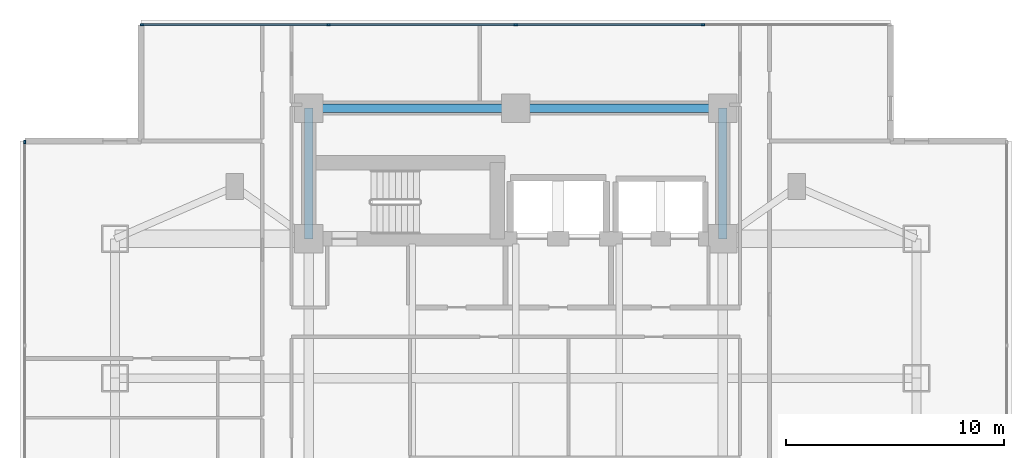
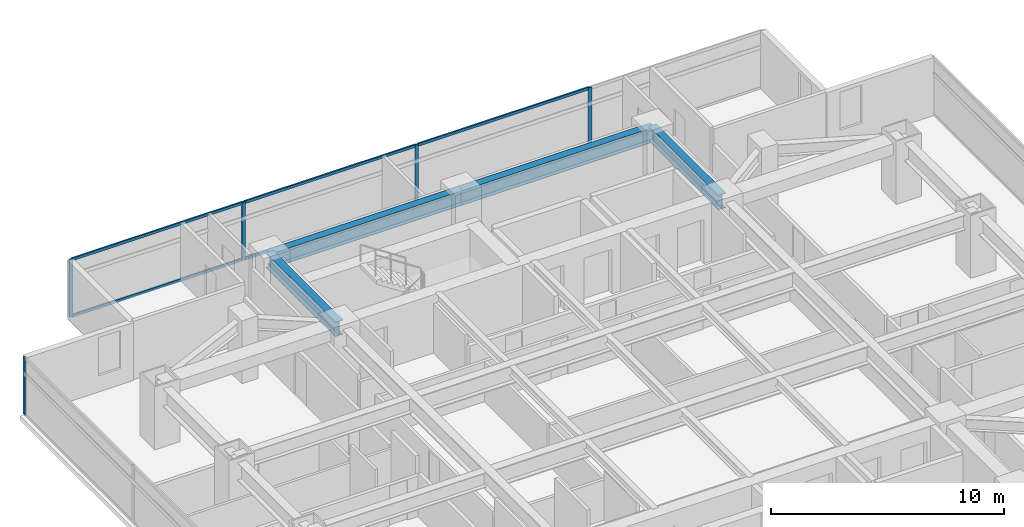
# One storey, part 7 of 27: 11 members, 4 beams, 2 elements without a shape of their own.
"""IFC4 building model written with IfcOpenShell, lengths in metres."""

from ifc_helpers import new_model, si_unit, direction, frame, origin, origin_2d, place, context, subcontext, project, spatial, rectangle, i_section, extrude, material, material_profile, profile_set, type_object, element, aggregate, save


model = new_model("IFC4")

# Units and contexts
model_context = context("Model", 3, precision=1e-05, world=origin(), true_north=direction((0.0, 1.0)))
body_context = subcontext(model_context, "Body", "Model", "MODEL_VIEW")
ifc_project = project(units=[si_unit("LENGTHUNIT", "METRE"), si_unit("AREAUNIT", "SQUARE_METRE"), si_unit("VOLUMEUNIT", "CUBIC_METRE"), si_unit("PLANEANGLEUNIT", "RADIAN"), si_unit("MASSUNIT", "GRAM", prefix="KILO")], contexts=[model_context])

# Site, building, storey
site_placement = place(None, origin())
site = spatial("IfcSite", under=ifc_project, at=site_placement, CompositionType="ELEMENT")
building_placement = place(site_placement, origin())
building = spatial("IfcBuilding", under=site, at=building_placement, Name="Mirazonda Arch Towers", CompositionType="ELEMENT")
storey_placement = place(building_placement, frame((0.0, 0.0, 75.199951171875)))
storey = spatial("IfcBuildingStorey", under=building, at=storey_placement, Name="L21", CompositionType="ELEMENT", Elevation=75.199951171875)

# Beams
ifc_material_1 = material(Name="Steel ASTM A992 Grade 50", Category="steel")
ifc_material_profile_1 = material_profile(ifc_material_1, i_section(OverallWidth=0.381103515625, OverallDepth=0.77294921875, WebThickness=0.0166015625, FlangeThickness=0.027099609375, at=origin_2d()), Name="W30X173")
ifc_profile_set_1 = profile_set([ifc_material_profile_1], Name="Steel ASTM A992 Grade 50")
beam_type = type_object("IfcBeamType", Name="BM-INT-W30X173", PredefinedType="USERDEFINED", material=ifc_profile_set_1)
for number, where, z_axis, x_axis, name in (
    (1, (11.0, 43.60009765625, 2.673583984375), (1.0, 0.0, 0.0), (0.0, 1.0, 0.0), "L21 Floor Beam BM-T1-L21-CN1"),
    (2, (20.5, 43.60009765625, 2.673583984375), (1.0, 0.0, 0.0), (0.0, 1.0, 0.0), "L21 Floor Beam BM-T1-L21-CN2"),
):
    element("IfcBeam", number, at=place(storey_placement, frame(where, z_axis=z_axis, x_axis=x_axis)), inside=storey, type_object=beam_type, Name=name, ObjectType="GIRDER", PredefinedType="USERDEFINED", context=body_context, shape_type="SweptSolid", body=[
        extrude(i_section(OverallWidth=0.381103515625, OverallDepth=0.77294921875, WebThickness=0.0166015625, FlangeThickness=0.027099609375, at=origin_2d()), origin(), (0.0, 0.0, 1.0), 9.5),
    ])
for number, where, z_axis, x_axis, name in (
    (3, (11.0, 37.60009765625, 2.673583984375), (0.0, 1.0, 0.0), (-1.0, 0.0, 0.0), "L21 Floor Beam BM-T1-L21-CNW"),
    (4, (30.0, 37.60009765625, 2.673583984375), (0.0, 1.0, 0.0), (-1.0, 0.0, 0.0), "L21 Floor Beam BM-T1-L21-CNE"),
):
    element("IfcBeam", number, at=place(storey_placement, frame(where, z_axis=z_axis, x_axis=x_axis)), inside=storey, type_object=beam_type, Name=name, ObjectType="GIRDER", PredefinedType="USERDEFINED", context=body_context, shape_type="SweptSolid", body=[
        extrude(i_section(OverallWidth=0.381103515625, OverallDepth=0.77294921875, WebThickness=0.0166015625, FlangeThickness=0.027099609375, at=origin_2d()), origin(), (0.0, 0.0, 1.0), 6.0),
    ])

# Curtain wall, members
ifc_material_2 = material(Name="Anodised Aluminium and Low-E Glass", Category="aluminium")
curtain_wall_type = type_object("IfcCurtainWallType", Name="CW-HTL-UNIT", PredefinedType="NOTDEFINED", material=ifc_material_2)
curtain_wall_1_placement = place(storey_placement, origin())
curtain_wall_1 = element("IfcCurtainWall", 5, at=curtain_wall_1_placement, inside=storey, type_object=curtain_wall_type, Name="L21 T1 N Facade CW-L21-T1-N", PredefinedType="NOTDEFINED")
ifc_material_3 = material(Name="Anodised Aluminium Alloy", Category="aluminium")
ifc_material_profile_2 = material_profile(ifc_material_3, rectangle(XDim=0.074951171875, YDim=0.1650390625, at=origin_2d()), Name="ALU-MULL-75x165")
ifc_profile_set_2 = profile_set([ifc_material_profile_2], Name="Anodised Aluminium Alloy")
member_type_1 = type_object("IfcMemberType", Name="MULL-CW-HTL-UNIT", PredefinedType="MULLION", material=ifc_profile_set_2)
member_1_placement = place(storey_placement, frame((3.33740234375, 47.426025390625, 0.0), z_axis=(0.0, 0.0, 1.0), x_axis=(0.0, 1.0, 0.0)))
member_1 = element("IfcMember", 6, at=member_1_placement, type_object=member_type_1, Name="CW-112 mullion 1", PredefinedType="MULLION", context=body_context, shape_type="SweptSolid", body=[
    extrude(rectangle(XDim=0.074951171875, YDim=0.1650390625, at=origin_2d()), origin(), (0.0, 0.0, 1.0), 3.0400390625),
])
member_2_placement = place(storey_placement, frame((11.89990234375, 47.426025390625, 0.0), z_axis=(0.0, 0.0, 1.0), x_axis=(0.0, 1.0, 0.0)))
member_2 = element("IfcMember", 7, at=member_2_placement, type_object=member_type_1, Name="CW-112 mullion 2", PredefinedType="MULLION", context=body_context, shape_type="SweptSolid", body=[
    extrude(rectangle(XDim=0.074951171875, YDim=0.1650390625, at=origin_2d()), origin(), (0.0, 0.0, 1.0), 3.0400390625),
])
member_3_placement = place(storey_placement, frame((20.5, 47.426025390625, 0.0), z_axis=(0.0, 0.0, 1.0), x_axis=(0.0, 1.0, 0.0)))
member_3 = element("IfcMember", 8, at=member_3_placement, type_object=member_type_1, Name="CW-112 mullion 3", PredefinedType="MULLION", context=body_context, shape_type="SweptSolid", body=[
    extrude(rectangle(XDim=0.074951171875, YDim=0.1650390625, at=origin_2d()), origin(), (0.0, 0.0, 1.0), 3.0400390625),
])
member_4_placement = place(storey_placement, frame((29.10009765625, 47.426025390625, 0.0), z_axis=(0.0, 0.0, 1.0), x_axis=(0.0, 1.0, 0.0)))
member_4 = element("IfcMember", 9, at=member_4_placement, type_object=member_type_1, Name="CW-112 mullion 4", PredefinedType="MULLION", context=body_context, shape_type="SweptSolid", body=[
    extrude(rectangle(XDim=0.074951171875, YDim=0.1650390625, at=origin_2d()), origin(), (0.0, 0.0, 1.0), 3.0400390625),
])

# Curtain wall, member
curtain_wall_2_placement = place(storey_placement, origin())
curtain_wall_2 = element("IfcCurtainWall", 10, at=curtain_wall_2_placement, inside=storey, type_object=curtain_wall_type, Name="L21 T1 W Facade CW-L21-T1-W", PredefinedType="NOTDEFINED")
member_5_placement = place(storey_placement, frame((-2.0400390625, 42.048583984375, 0.0), z_axis=(0.0, 0.0, 1.0), x_axis=(1.0, 0.0, 0.0)))
member_5 = element("IfcMember", 11, at=member_5_placement, type_object=member_type_1, Name="CW-112 mullion 1", PredefinedType="MULLION", context=body_context, shape_type="SweptSolid", body=[
    extrude(rectangle(XDim=0.074951171875, YDim=0.1650390625, at=origin_2d()), origin(), (0.0, 0.0, 1.0), 3.0400390625),
])
aggregate(curtain_wall_2, [member_5])

# Member
ifc_material_profile_3 = material_profile(ifc_material_3, rectangle(XDim=0.074951171875, YDim=0.14501953125, at=origin_2d()), Name="ALU-TRAN-75x145")
ifc_profile_set_3 = profile_set([ifc_material_profile_3], Name="Anodised Aluminium Alloy")
member_type_2 = type_object("IfcMemberType", Name="TRAN-CW-HTL-UNIT", PredefinedType="USERDEFINED", material=ifc_profile_set_3)
member_6_placement = place(storey_placement, frame((3.375, 47.426025390625, 0.03759765625), z_axis=(1.0, 0.0, 0.0), x_axis=(0.0, 1.0, 0.0)))
member_6 = element("IfcMember", 12, at=member_6_placement, type_object=member_type_2, Name="CW-112 transom 1.1", ObjectType="TRANSOM", PredefinedType="USERDEFINED", context=body_context, shape_type="SweptSolid", body=[
    extrude(rectangle(XDim=0.074951171875, YDim=0.14501953125, at=origin_2d()), origin(), (0.0, 0.0, 1.0), 8.487548828125),
])

member_7_placement = place(storey_placement, frame((3.375, 47.426025390625, 3.00244140625), z_axis=(1.0, 0.0, 0.0), x_axis=(0.0, 1.0, 0.0)))
member_7 = element("IfcMember", 13, at=member_7_placement, type_object=member_type_2, Name="CW-112 transom 1.2", ObjectType="TRANSOM", PredefinedType="USERDEFINED", context=body_context, shape_type="SweptSolid", body=[
    extrude(rectangle(XDim=0.074951171875, YDim=0.14501953125, at=origin_2d()), origin(), (0.0, 0.0, 1.0), 8.487548828125),
])

member_8_placement = place(storey_placement, frame((11.9375, 47.426025390625, 0.03759765625), z_axis=(1.0, 0.0, 0.0), x_axis=(0.0, 1.0, 0.0)))
member_8 = element("IfcMember", 14, at=member_8_placement, type_object=member_type_2, Name="CW-112 transom 2.1", ObjectType="TRANSOM", PredefinedType="USERDEFINED", context=body_context, shape_type="SweptSolid", body=[
    extrude(rectangle(XDim=0.074951171875, YDim=0.14501953125, at=origin_2d()), origin(), (0.0, 0.0, 1.0), 8.52490234375),
])

member_9_placement = place(storey_placement, frame((11.9375, 47.426025390625, 3.00244140625), z_axis=(1.0, 0.0, 0.0), x_axis=(0.0, 1.0, 0.0)))
member_9 = element("IfcMember", 15, at=member_9_placement, type_object=member_type_2, Name="CW-112 transom 2.2", ObjectType="TRANSOM", PredefinedType="USERDEFINED", context=body_context, shape_type="SweptSolid", body=[
    extrude(rectangle(XDim=0.074951171875, YDim=0.14501953125, at=origin_2d()), origin(), (0.0, 0.0, 1.0), 8.52490234375),
])

member_10_placement = place(storey_placement, frame((20.53759765625, 47.426025390625, 0.03759765625), z_axis=(1.0, 0.0, 0.0), x_axis=(0.0, 1.0, 0.0)))
member_10 = element("IfcMember", 16, at=member_10_placement, type_object=member_type_2, Name="CW-112 transom 3.1", ObjectType="TRANSOM", PredefinedType="USERDEFINED", context=body_context, shape_type="SweptSolid", body=[
    extrude(rectangle(XDim=0.074951171875, YDim=0.14501953125, at=origin_2d()), origin(), (0.0, 0.0, 1.0), 8.52490234375),
])

member_11_placement = place(storey_placement, frame((20.53759765625, 47.426025390625, 3.00244140625), z_axis=(1.0, 0.0, 0.0), x_axis=(0.0, 1.0, 0.0)))
member_11 = element("IfcMember", 17, at=member_11_placement, type_object=member_type_2, Name="CW-112 transom 3.2", ObjectType="TRANSOM", PredefinedType="USERDEFINED", context=body_context, shape_type="SweptSolid", body=[
    extrude(rectangle(XDim=0.074951171875, YDim=0.14501953125, at=origin_2d()), origin(), (0.0, 0.0, 1.0), 8.52490234375),
])

aggregate(curtain_wall_1, [member_1, member_2, member_3, member_4, member_6, member_7, member_8, member_9, member_10, member_11])

save(model, "model.ifc")
